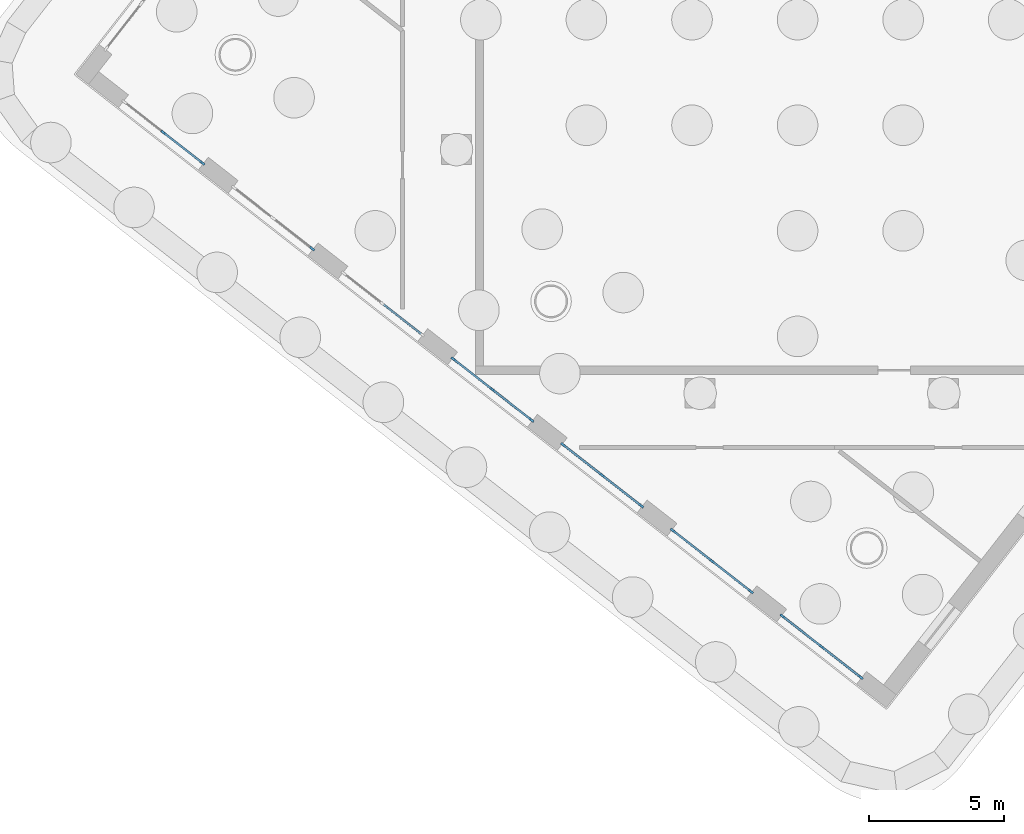
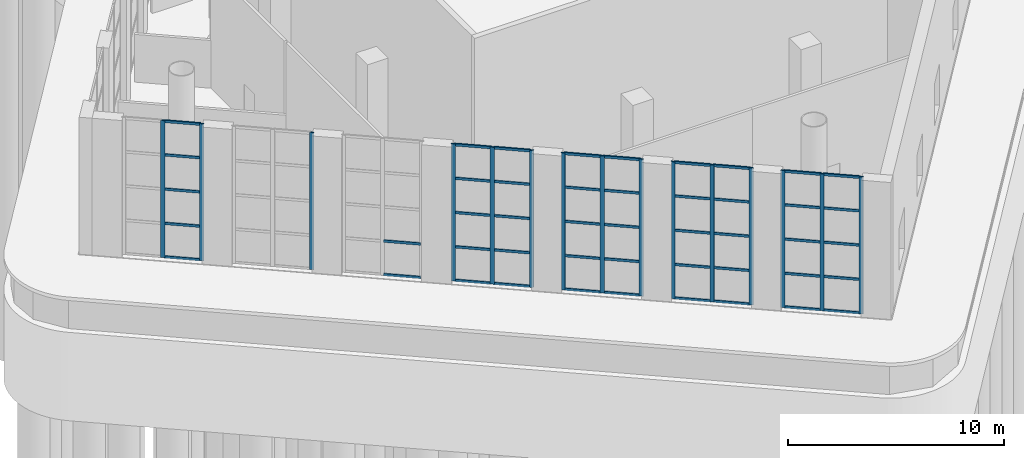
# One storey, part 4 of 34: 62 members, 7 elements without a shape of their own.
"""IFC4 building model written with IfcOpenShell, lengths in metres."""

from ifc_helpers import new_model, si_unit, direction, frame, origin, origin_2d, place, context, subcontext, project, spatial, rectangle, extrude, material, material_profile, profile_set, type_object, element, aggregate, save


model = new_model("IFC4")

# Units and contexts
model_context = context("Model", 3, precision=1e-05, world=origin(), true_north=direction((0.0, 1.0)))
body_context = subcontext(model_context, "Body", "Model", "MODEL_VIEW")
ifc_project = project(units=[si_unit("LENGTHUNIT", "METRE"), si_unit("AREAUNIT", "SQUARE_METRE"), si_unit("VOLUMEUNIT", "CUBIC_METRE"), si_unit("PLANEANGLEUNIT", "RADIAN"), si_unit("MASSUNIT", "GRAM", prefix="KILO")], contexts=[model_context])

# Site, building, storey
site_placement = place(None, origin())
site = spatial("IfcSite", under=ifc_project, at=site_placement, CompositionType="ELEMENT")
building_placement = place(site_placement, origin())
building = spatial("IfcBuilding", under=site, at=building_placement, Name="Tarsis Ring Headquarters", CompositionType="ELEMENT")
storey_placement = place(building_placement, origin())
storey = spatial("IfcBuildingStorey", under=building, at=storey_placement, Name="L00", CompositionType="ELEMENT", Elevation=0.0)

# Curtain wall, members
ifc_material_1 = material(Name="Aluminium and glass", Category="aluminium")
curtain_wall_type = type_object("IfcCurtainWallType", Name="PO-CW1", PredefinedType="NOTDEFINED", material=ifc_material_1)
curtain_wall_1_placement = place(storey_placement, origin())
curtain_wall_1 = element("IfcCurtainWall", 1, at=curtain_wall_1_placement, inside=storey, type_object=curtain_wall_type, Name="Shopfront curtain wall 7.1", PredefinedType="NOTDEFINED")
ifc_material_2 = material(Name="Aluminium", Category="aluminium")
ifc_material_profile_1 = material_profile(ifc_material_2, rectangle(XDim=0.080078125, YDim=0.199951171875, at=origin_2d()), Name="PO-CW1M")
ifc_profile_set_1 = profile_set([ifc_material_profile_1], Name="Aluminium")
member_type_1 = type_object("IfcMemberType", Name="PO-CW1M", PredefinedType="MULLION", material=ifc_profile_set_1)
member_1_placement = place(storey_placement, frame((-46.82958984375, -35.3662109375, 0.0), z_axis=(0.0, 0.0, 1.0), x_axis=(0.615661571393, 0.788010678551, 0.0)))
member_1 = element("IfcMember", 2, at=member_1_placement, type_object=member_type_1, Name="CW-P1 mullion 2", PredefinedType="MULLION", context=body_context, shape_type="SweptSolid", body=[
    extrude(rectangle(XDim=0.080078125, YDim=0.199951171875, at=origin_2d()), origin(), (0.0, 0.0, 1.0), 7.75),
])
member_2_placement = place(storey_placement, frame((-45.38623046875, -36.49365234375, 0.0), z_axis=(0.0, 0.0, 1.0), x_axis=(0.615661571393, 0.788010678551, 0.0)))
member_2 = element("IfcMember", 3, at=member_2_placement, type_object=member_type_1, Name="CW-P1 mullion 3", PredefinedType="MULLION", context=body_context, shape_type="SweptSolid", body=[
    extrude(rectangle(XDim=0.080078125, YDim=0.199951171875, at=origin_2d()), origin(), (0.0, 0.0, 1.0), 7.75),
])

# Curtain wall, member
curtain_wall_2_placement = place(storey_placement, origin())
curtain_wall_2 = element("IfcCurtainWall", 4, at=curtain_wall_2_placement, inside=storey, type_object=curtain_wall_type, Name="Shopfront curtain wall 7.2", PredefinedType="NOTDEFINED")
member_3_placement = place(storey_placement, frame((-41.333740234375, -39.659912109375, 0.0), z_axis=(0.0, 0.0, 1.0), x_axis=(0.615661441767, 0.788010779825, 0.0)))
member_3 = element("IfcMember", 5, at=member_3_placement, type_object=member_type_1, Name="CW-P1 mullion 3", PredefinedType="MULLION", context=body_context, shape_type="SweptSolid", body=[
    extrude(rectangle(XDim=0.080078125, YDim=0.199951171875, at=origin_2d()), origin(), (0.0, 0.0, 1.0), 7.75),
])
aggregate(curtain_wall_2, [member_3])

# Curtain wall, members
curtain_wall_3_placement = place(storey_placement, origin())
curtain_wall_3 = element("IfcCurtainWall", 6, at=curtain_wall_3_placement, inside=storey, type_object=curtain_wall_type, Name="Shopfront curtain wall 7.4", PredefinedType="NOTDEFINED")
member_4_placement = place(storey_placement, frame((-36.11474609375, -43.7373046875, 0.0), z_axis=(0.0, 0.0, 1.0), x_axis=(0.615661571393, 0.788010678551, 0.0)))
member_4 = element("IfcMember", 7, at=member_4_placement, type_object=member_type_1, Name="CW-P1 mullion 1", PredefinedType="MULLION", context=body_context, shape_type="SweptSolid", body=[
    extrude(rectangle(XDim=0.080078125, YDim=0.199951171875, at=origin_2d()), origin(), (0.0, 0.0, 1.0), 7.75),
])
member_5_placement = place(storey_placement, frame((-34.671630859375, -44.864990234375, 0.0), z_axis=(0.0, 0.0, 1.0), x_axis=(0.615661571393, 0.788010678551, 0.0)))
member_5 = element("IfcMember", 8, at=member_5_placement, type_object=member_type_1, Name="CW-P1 mullion 2", PredefinedType="MULLION", context=body_context, shape_type="SweptSolid", body=[
    extrude(rectangle(XDim=0.080078125, YDim=0.199951171875, at=origin_2d()), origin(), (0.0, 0.0, 1.0), 7.75),
])
member_6_placement = place(storey_placement, frame((-33.228515625, -45.992431640625, 0.0), z_axis=(0.0, 0.0, 1.0), x_axis=(0.615661571393, 0.788010678551, 0.0)))
member_6 = element("IfcMember", 9, at=member_6_placement, type_object=member_type_1, Name="CW-P1 mullion 3", PredefinedType="MULLION", context=body_context, shape_type="SweptSolid", body=[
    extrude(rectangle(XDim=0.080078125, YDim=0.199951171875, at=origin_2d()), origin(), (0.0, 0.0, 1.0), 7.75),
])

curtain_wall_4_placement = place(storey_placement, origin())
curtain_wall_4 = element("IfcCurtainWall", 10, at=curtain_wall_4_placement, inside=storey, type_object=curtain_wall_type, Name="Shopfront curtain wall 7.5", PredefinedType="NOTDEFINED")
member_7_placement = place(storey_placement, frame((-32.062255859375, -46.903564453125, 0.0), z_axis=(0.0, 0.0, 1.0), x_axis=(0.615661441767, 0.788010779825, 0.0)))
member_7 = element("IfcMember", 11, at=member_7_placement, type_object=member_type_1, Name="CW-P1 mullion 1", PredefinedType="MULLION", context=body_context, shape_type="SweptSolid", body=[
    extrude(rectangle(XDim=0.080078125, YDim=0.199951171875, at=origin_2d()), origin(), (0.0, 0.0, 1.0), 7.75),
])
member_8_placement = place(storey_placement, frame((-30.618896484375, -48.03125, 0.0), z_axis=(0.0, 0.0, 1.0), x_axis=(0.615661441767, 0.788010779825, 0.0)))
member_8 = element("IfcMember", 12, at=member_8_placement, type_object=member_type_1, Name="CW-P1 mullion 2", PredefinedType="MULLION", context=body_context, shape_type="SweptSolid", body=[
    extrude(rectangle(XDim=0.080078125, YDim=0.199951171875, at=origin_2d()), origin(), (0.0, 0.0, 1.0), 7.75),
])
member_9_placement = place(storey_placement, frame((-29.17578125, -49.15869140625, 0.0), z_axis=(0.0, 0.0, 1.0), x_axis=(0.615661441767, 0.788010779825, 0.0)))
member_9 = element("IfcMember", 13, at=member_9_placement, type_object=member_type_1, Name="CW-P1 mullion 3", PredefinedType="MULLION", context=body_context, shape_type="SweptSolid", body=[
    extrude(rectangle(XDim=0.080078125, YDim=0.199951171875, at=origin_2d()), origin(), (0.0, 0.0, 1.0), 7.75),
])

curtain_wall_5_placement = place(storey_placement, origin())
curtain_wall_5 = element("IfcCurtainWall", 14, at=curtain_wall_5_placement, inside=storey, type_object=curtain_wall_type, Name="Shopfront curtain wall 7.6", PredefinedType="NOTDEFINED")
member_10_placement = place(storey_placement, frame((-28.009521484375, -50.06982421875, 0.0), z_axis=(0.0, 0.0, 1.0), x_axis=(0.615661441767, 0.788010779825, 0.0)))
member_10 = element("IfcMember", 15, at=member_10_placement, type_object=member_type_1, Name="CW-P1 mullion 1", PredefinedType="MULLION", context=body_context, shape_type="SweptSolid", body=[
    extrude(rectangle(XDim=0.080078125, YDim=0.199951171875, at=origin_2d()), origin(), (0.0, 0.0, 1.0), 7.75),
])
member_11_placement = place(storey_placement, frame((-26.56640625, -51.197509765625, 0.0), z_axis=(0.0, 0.0, 1.0), x_axis=(0.615661441767, 0.788010779825, 0.0)))
member_11 = element("IfcMember", 16, at=member_11_placement, type_object=member_type_1, Name="CW-P1 mullion 2", PredefinedType="MULLION", context=body_context, shape_type="SweptSolid", body=[
    extrude(rectangle(XDim=0.080078125, YDim=0.199951171875, at=origin_2d()), origin(), (0.0, 0.0, 1.0), 7.75),
])
member_12_placement = place(storey_placement, frame((-25.123046875, -52.324951171875, 0.0), z_axis=(0.0, 0.0, 1.0), x_axis=(0.615661441767, 0.788010779825, 0.0)))
member_12 = element("IfcMember", 17, at=member_12_placement, type_object=member_type_1, Name="CW-P1 mullion 3", PredefinedType="MULLION", context=body_context, shape_type="SweptSolid", body=[
    extrude(rectangle(XDim=0.080078125, YDim=0.199951171875, at=origin_2d()), origin(), (0.0, 0.0, 1.0), 7.75),
])

curtain_wall_6_placement = place(storey_placement, origin())
curtain_wall_6 = element("IfcCurtainWall", 18, at=curtain_wall_6_placement, inside=storey, type_object=curtain_wall_type, Name="Shopfront curtain wall 7.7", PredefinedType="NOTDEFINED")
member_13_placement = place(storey_placement, frame((-23.956787109375, -53.236083984375, 0.0), z_axis=(0.0, 0.0, 1.0), x_axis=(0.615661441767, 0.788010779825, 0.0)))
member_13 = element("IfcMember", 19, at=member_13_placement, type_object=member_type_1, Name="CW-P1 mullion 1", PredefinedType="MULLION", context=body_context, shape_type="SweptSolid", body=[
    extrude(rectangle(XDim=0.080078125, YDim=0.199951171875, at=origin_2d()), origin(), (0.0, 0.0, 1.0), 7.75),
])
member_14_placement = place(storey_placement, frame((-22.513671875, -54.36376953125, 0.0), z_axis=(0.0, 0.0, 1.0), x_axis=(0.615661441767, 0.788010779825, 0.0)))
member_14 = element("IfcMember", 20, at=member_14_placement, type_object=member_type_1, Name="CW-P1 mullion 2", PredefinedType="MULLION", context=body_context, shape_type="SweptSolid", body=[
    extrude(rectangle(XDim=0.080078125, YDim=0.199951171875, at=origin_2d()), origin(), (0.0, 0.0, 1.0), 7.75),
])
member_15_placement = place(storey_placement, frame((-21.070556640625, -55.4912109375, 0.0), z_axis=(0.0, 0.0, 1.0), x_axis=(0.615661441767, 0.788010779825, 0.0)))
member_15 = element("IfcMember", 21, at=member_15_placement, type_object=member_type_1, Name="CW-P1 mullion 3", PredefinedType="MULLION", context=body_context, shape_type="SweptSolid", body=[
    extrude(rectangle(XDim=0.080078125, YDim=0.199951171875, at=origin_2d()), origin(), (0.0, 0.0, 1.0), 7.75),
])

# Member
ifc_material_profile_2 = material_profile(ifc_material_2, rectangle(XDim=0.080078125, YDim=0.139892578125, at=origin_2d()), Name="PO-CW1T")
ifc_profile_set_2 = profile_set([ifc_material_profile_2], Name="Aluminium")
member_type_2 = type_object("IfcMemberType", Name="PO-CW1T", PredefinedType="USERDEFINED", material=ifc_profile_set_2)
member_16_placement = place(storey_placement, frame((-46.7978515625, -35.390869140625, 0.0400390625), z_axis=(0.788051847991, -0.615608873294, 0.0), x_axis=(0.615608873294, 0.788051847991, 0.0)))
member_16 = element("IfcMember", 22, at=member_16_placement, type_object=member_type_2, Name="CW-P1 transom 2.1", ObjectType="TRANSOM", PredefinedType="USERDEFINED", context=body_context, shape_type="SweptSolid", body=[
    extrude(rectangle(XDim=0.080078125, YDim=0.139892578125, at=origin_2d()), origin(), (0.0, 0.0, 1.0), 1.751220703125),
])

member_17_placement = place(storey_placement, frame((-46.7978515625, -35.390869140625, 1.9375), z_axis=(0.788051847991, -0.615608873294, 0.0), x_axis=(0.615608873294, 0.788051847991, 0.0)))
member_17 = element("IfcMember", 23, at=member_17_placement, type_object=member_type_2, Name="CW-P1 transom 2.2", ObjectType="TRANSOM", PredefinedType="USERDEFINED", context=body_context, shape_type="SweptSolid", body=[
    extrude(rectangle(XDim=0.080078125, YDim=0.139892578125, at=origin_2d()), origin(), (0.0, 0.0, 1.0), 1.751220703125),
])

member_18_placement = place(storey_placement, frame((-46.7978515625, -35.390869140625, 3.875), z_axis=(0.788051847991, -0.615608873294, 0.0), x_axis=(0.615608873294, 0.788051847991, 0.0)))
member_18 = element("IfcMember", 24, at=member_18_placement, type_object=member_type_2, Name="CW-P1 transom 2.3", ObjectType="TRANSOM", PredefinedType="USERDEFINED", context=body_context, shape_type="SweptSolid", body=[
    extrude(rectangle(XDim=0.080078125, YDim=0.139892578125, at=origin_2d()), origin(), (0.0, 0.0, 1.0), 1.751220703125),
])

member_19_placement = place(storey_placement, frame((-46.7978515625, -35.390869140625, 5.8125), z_axis=(0.788051847991, -0.615608873294, 0.0), x_axis=(0.615608873294, 0.788051847991, 0.0)))
member_19 = element("IfcMember", 25, at=member_19_placement, type_object=member_type_2, Name="CW-P1 transom 2.4", ObjectType="TRANSOM", PredefinedType="USERDEFINED", context=body_context, shape_type="SweptSolid", body=[
    extrude(rectangle(XDim=0.080078125, YDim=0.139892578125, at=origin_2d()), origin(), (0.0, 0.0, 1.0), 1.751220703125),
])

member_20_placement = place(storey_placement, frame((-46.7978515625, -35.390869140625, 7.7099609375), z_axis=(0.788051847991, -0.615608873294, 0.0), x_axis=(0.615608873294, 0.788051847991, 0.0)))
member_20 = element("IfcMember", 26, at=member_20_placement, type_object=member_type_2, Name="CW-P1 transom 2.5", ObjectType="TRANSOM", PredefinedType="USERDEFINED", context=body_context, shape_type="SweptSolid", body=[
    extrude(rectangle(XDim=0.080078125, YDim=0.139892578125, at=origin_2d()), origin(), (0.0, 0.0, 1.0), 1.751220703125),
])

aggregate(curtain_wall_1, [member_1, member_2, member_16, member_17, member_18, member_19, member_20])

# Curtain wall, members
curtain_wall_7_placement = place(storey_placement, origin())
curtain_wall_7 = element("IfcCurtainWall", 27, at=curtain_wall_7_placement, inside=storey, type_object=curtain_wall_type, Name="Shopfront curtain wall 7.3", PredefinedType="NOTDEFINED")
member_21_placement = place(storey_placement, frame((-38.692626953125, -41.723388671875, 0.0400390625), z_axis=(0.788051847991, -0.615608873294, 0.0), x_axis=(0.615608873294, 0.788051847991, 0.0)))
member_21 = element("IfcMember", 28, at=member_21_placement, type_object=member_type_2, Name="CW-P1 transom 2.1", ObjectType="TRANSOM", PredefinedType="USERDEFINED", context=body_context, shape_type="SweptSolid", body=[
    extrude(rectangle(XDim=0.080078125, YDim=0.139892578125, at=origin_2d()), origin(), (0.0, 0.0, 1.0), 1.751220703125),
])
member_22_placement = place(storey_placement, frame((-38.692626953125, -41.723388671875, 1.9375), z_axis=(0.788051847991, -0.615608873294, 0.0), x_axis=(0.615608873294, 0.788051847991, 0.0)))
member_22 = element("IfcMember", 29, at=member_22_placement, type_object=member_type_2, Name="CW-P1 transom 2.2", ObjectType="TRANSOM", PredefinedType="USERDEFINED", context=body_context, shape_type="SweptSolid", body=[
    extrude(rectangle(XDim=0.080078125, YDim=0.139892578125, at=origin_2d()), origin(), (0.0, 0.0, 1.0), 1.751220703125),
])
aggregate(curtain_wall_7, [member_21, member_22])

# Member
member_23_placement = place(storey_placement, frame((-36.083251953125, -43.761962890625, 0.0400390625), z_axis=(0.78798421965, -0.615695435733, 0.0), x_axis=(0.615695435733, 0.78798421965, 0.0)))
member_23 = element("IfcMember", 30, at=member_23_placement, type_object=member_type_2, Name="CW-P1 transom 1.1", ObjectType="TRANSOM", PredefinedType="USERDEFINED", context=body_context, shape_type="SweptSolid", body=[
    extrude(rectangle(XDim=0.080078125, YDim=0.139892578125, at=origin_2d()), origin(), (0.0, 0.0, 1.0), 1.75146484375),
])

member_24_placement = place(storey_placement, frame((-36.083251953125, -43.761962890625, 1.9375), z_axis=(0.78798421965, -0.615695435733, 0.0), x_axis=(0.615695435733, 0.78798421965, 0.0)))
member_24 = element("IfcMember", 31, at=member_24_placement, type_object=member_type_2, Name="CW-P1 transom 1.2", ObjectType="TRANSOM", PredefinedType="USERDEFINED", context=body_context, shape_type="SweptSolid", body=[
    extrude(rectangle(XDim=0.080078125, YDim=0.139892578125, at=origin_2d()), origin(), (0.0, 0.0, 1.0), 1.75146484375),
])

member_25_placement = place(storey_placement, frame((-36.083251953125, -43.761962890625, 3.875), z_axis=(0.78798421965, -0.615695435733, 0.0), x_axis=(0.615695435733, 0.78798421965, 0.0)))
member_25 = element("IfcMember", 32, at=member_25_placement, type_object=member_type_2, Name="CW-P1 transom 1.3", ObjectType="TRANSOM", PredefinedType="USERDEFINED", context=body_context, shape_type="SweptSolid", body=[
    extrude(rectangle(XDim=0.080078125, YDim=0.139892578125, at=origin_2d()), origin(), (0.0, 0.0, 1.0), 1.75146484375),
])

member_26_placement = place(storey_placement, frame((-36.083251953125, -43.761962890625, 5.8125), z_axis=(0.78798421965, -0.615695435733, 0.0), x_axis=(0.615695435733, 0.78798421965, 0.0)))
member_26 = element("IfcMember", 33, at=member_26_placement, type_object=member_type_2, Name="CW-P1 transom 1.4", ObjectType="TRANSOM", PredefinedType="USERDEFINED", context=body_context, shape_type="SweptSolid", body=[
    extrude(rectangle(XDim=0.080078125, YDim=0.139892578125, at=origin_2d()), origin(), (0.0, 0.0, 1.0), 1.75146484375),
])

member_27_placement = place(storey_placement, frame((-36.083251953125, -43.761962890625, 7.7099609375), z_axis=(0.78798421965, -0.615695435733, 0.0), x_axis=(0.615695435733, 0.78798421965, 0.0)))
member_27 = element("IfcMember", 34, at=member_27_placement, type_object=member_type_2, Name="CW-P1 transom 1.5", ObjectType="TRANSOM", PredefinedType="USERDEFINED", context=body_context, shape_type="SweptSolid", body=[
    extrude(rectangle(XDim=0.080078125, YDim=0.139892578125, at=origin_2d()), origin(), (0.0, 0.0, 1.0), 1.75146484375),
])

member_28_placement = place(storey_placement, frame((-34.64013671875, -44.8896484375, 0.0400390625), z_axis=(0.788051847991, -0.615608873294, 0.0), x_axis=(0.615608873294, 0.788051847991, 0.0)))
member_28 = element("IfcMember", 35, at=member_28_placement, type_object=member_type_2, Name="CW-P1 transom 2.1", ObjectType="TRANSOM", PredefinedType="USERDEFINED", context=body_context, shape_type="SweptSolid", body=[
    extrude(rectangle(XDim=0.080078125, YDim=0.139892578125, at=origin_2d()), origin(), (0.0, 0.0, 1.0), 1.751220703125),
])

member_29_placement = place(storey_placement, frame((-34.64013671875, -44.8896484375, 1.9375), z_axis=(0.788051847991, -0.615608873294, 0.0), x_axis=(0.615608873294, 0.788051847991, 0.0)))
member_29 = element("IfcMember", 36, at=member_29_placement, type_object=member_type_2, Name="CW-P1 transom 2.2", ObjectType="TRANSOM", PredefinedType="USERDEFINED", context=body_context, shape_type="SweptSolid", body=[
    extrude(rectangle(XDim=0.080078125, YDim=0.139892578125, at=origin_2d()), origin(), (0.0, 0.0, 1.0), 1.751220703125),
])

member_30_placement = place(storey_placement, frame((-34.64013671875, -44.8896484375, 3.875), z_axis=(0.788051847991, -0.615608873294, 0.0), x_axis=(0.615608873294, 0.788051847991, 0.0)))
member_30 = element("IfcMember", 37, at=member_30_placement, type_object=member_type_2, Name="CW-P1 transom 2.3", ObjectType="TRANSOM", PredefinedType="USERDEFINED", context=body_context, shape_type="SweptSolid", body=[
    extrude(rectangle(XDim=0.080078125, YDim=0.139892578125, at=origin_2d()), origin(), (0.0, 0.0, 1.0), 1.751220703125),
])

member_31_placement = place(storey_placement, frame((-34.64013671875, -44.8896484375, 5.8125), z_axis=(0.788051847991, -0.615608873294, 0.0), x_axis=(0.615608873294, 0.788051847991, 0.0)))
member_31 = element("IfcMember", 38, at=member_31_placement, type_object=member_type_2, Name="CW-P1 transom 2.4", ObjectType="TRANSOM", PredefinedType="USERDEFINED", context=body_context, shape_type="SweptSolid", body=[
    extrude(rectangle(XDim=0.080078125, YDim=0.139892578125, at=origin_2d()), origin(), (0.0, 0.0, 1.0), 1.751220703125),
])

member_32_placement = place(storey_placement, frame((-34.64013671875, -44.8896484375, 7.7099609375), z_axis=(0.788051847991, -0.615608873294, 0.0), x_axis=(0.615608873294, 0.788051847991, 0.0)))
member_32 = element("IfcMember", 39, at=member_32_placement, type_object=member_type_2, Name="CW-P1 transom 2.5", ObjectType="TRANSOM", PredefinedType="USERDEFINED", context=body_context, shape_type="SweptSolid", body=[
    extrude(rectangle(XDim=0.080078125, YDim=0.139892578125, at=origin_2d()), origin(), (0.0, 0.0, 1.0), 1.751220703125),
])

aggregate(curtain_wall_3, [member_4, member_5, member_6, member_23, member_24, member_25, member_26, member_27, member_28, member_29, member_30, member_31, member_32])

member_33_placement = place(storey_placement, frame((-32.03076171875, -46.92822265625, 0.0400390625), z_axis=(0.78803705187, -0.615627813602, 0.0), x_axis=(0.615627813602, 0.78803705187, 0.0)))
member_33 = element("IfcMember", 40, at=member_33_placement, type_object=member_type_2, Name="CW-P1 transom 1.1", ObjectType="TRANSOM", PredefinedType="USERDEFINED", context=body_context, shape_type="SweptSolid", body=[
    extrude(rectangle(XDim=0.080078125, YDim=0.139892578125, at=origin_2d()), origin(), (0.0, 0.0, 1.0), 1.751708984375),
])

member_34_placement = place(storey_placement, frame((-32.03076171875, -46.92822265625, 1.9375), z_axis=(0.78803705187, -0.615627813602, 0.0), x_axis=(0.615627813602, 0.78803705187, 0.0)))
member_34 = element("IfcMember", 41, at=member_34_placement, type_object=member_type_2, Name="CW-P1 transom 1.2", ObjectType="TRANSOM", PredefinedType="USERDEFINED", context=body_context, shape_type="SweptSolid", body=[
    extrude(rectangle(XDim=0.080078125, YDim=0.139892578125, at=origin_2d()), origin(), (0.0, 0.0, 1.0), 1.751708984375),
])

member_35_placement = place(storey_placement, frame((-32.03076171875, -46.92822265625, 3.875), z_axis=(0.78803705187, -0.615627813602, 0.0), x_axis=(0.615627813602, 0.78803705187, 0.0)))
member_35 = element("IfcMember", 42, at=member_35_placement, type_object=member_type_2, Name="CW-P1 transom 1.3", ObjectType="TRANSOM", PredefinedType="USERDEFINED", context=body_context, shape_type="SweptSolid", body=[
    extrude(rectangle(XDim=0.080078125, YDim=0.139892578125, at=origin_2d()), origin(), (0.0, 0.0, 1.0), 1.751708984375),
])

member_36_placement = place(storey_placement, frame((-32.03076171875, -46.92822265625, 5.8125), z_axis=(0.78803705187, -0.615627813602, 0.0), x_axis=(0.615627813602, 0.78803705187, 0.0)))
member_36 = element("IfcMember", 43, at=member_36_placement, type_object=member_type_2, Name="CW-P1 transom 1.4", ObjectType="TRANSOM", PredefinedType="USERDEFINED", context=body_context, shape_type="SweptSolid", body=[
    extrude(rectangle(XDim=0.080078125, YDim=0.139892578125, at=origin_2d()), origin(), (0.0, 0.0, 1.0), 1.751708984375),
])

member_37_placement = place(storey_placement, frame((-32.03076171875, -46.92822265625, 7.7099609375), z_axis=(0.78803705187, -0.615627813602, 0.0), x_axis=(0.615627813602, 0.78803705187, 0.0)))
member_37 = element("IfcMember", 44, at=member_37_placement, type_object=member_type_2, Name="CW-P1 transom 1.5", ObjectType="TRANSOM", PredefinedType="USERDEFINED", context=body_context, shape_type="SweptSolid", body=[
    extrude(rectangle(XDim=0.080078125, YDim=0.139892578125, at=origin_2d()), origin(), (0.0, 0.0, 1.0), 1.751708984375),
])

member_38_placement = place(storey_placement, frame((-30.58740234375, -48.055908203125, 0.0400390625), z_axis=(0.788051847991, -0.615608873294, 0.0), x_axis=(0.615608873294, 0.788051847991, 0.0)))
member_38 = element("IfcMember", 45, at=member_38_placement, type_object=member_type_2, Name="CW-P1 transom 2.1", ObjectType="TRANSOM", PredefinedType="USERDEFINED", context=body_context, shape_type="SweptSolid", body=[
    extrude(rectangle(XDim=0.080078125, YDim=0.139892578125, at=origin_2d()), origin(), (0.0, 0.0, 1.0), 1.751220703125),
])

member_39_placement = place(storey_placement, frame((-30.58740234375, -48.055908203125, 1.9375), z_axis=(0.788051847991, -0.615608873294, 0.0), x_axis=(0.615608873294, 0.788051847991, 0.0)))
member_39 = element("IfcMember", 46, at=member_39_placement, type_object=member_type_2, Name="CW-P1 transom 2.2", ObjectType="TRANSOM", PredefinedType="USERDEFINED", context=body_context, shape_type="SweptSolid", body=[
    extrude(rectangle(XDim=0.080078125, YDim=0.139892578125, at=origin_2d()), origin(), (0.0, 0.0, 1.0), 1.751220703125),
])

member_40_placement = place(storey_placement, frame((-30.58740234375, -48.055908203125, 3.875), z_axis=(0.788051847991, -0.615608873294, 0.0), x_axis=(0.615608873294, 0.788051847991, 0.0)))
member_40 = element("IfcMember", 47, at=member_40_placement, type_object=member_type_2, Name="CW-P1 transom 2.3", ObjectType="TRANSOM", PredefinedType="USERDEFINED", context=body_context, shape_type="SweptSolid", body=[
    extrude(rectangle(XDim=0.080078125, YDim=0.139892578125, at=origin_2d()), origin(), (0.0, 0.0, 1.0), 1.751220703125),
])

member_41_placement = place(storey_placement, frame((-30.58740234375, -48.055908203125, 5.8125), z_axis=(0.788051847991, -0.615608873294, 0.0), x_axis=(0.615608873294, 0.788051847991, 0.0)))
member_41 = element("IfcMember", 48, at=member_41_placement, type_object=member_type_2, Name="CW-P1 transom 2.4", ObjectType="TRANSOM", PredefinedType="USERDEFINED", context=body_context, shape_type="SweptSolid", body=[
    extrude(rectangle(XDim=0.080078125, YDim=0.139892578125, at=origin_2d()), origin(), (0.0, 0.0, 1.0), 1.751220703125),
])

member_42_placement = place(storey_placement, frame((-30.58740234375, -48.055908203125, 7.7099609375), z_axis=(0.788051847991, -0.615608873294, 0.0), x_axis=(0.615608873294, 0.788051847991, 0.0)))
member_42 = element("IfcMember", 49, at=member_42_placement, type_object=member_type_2, Name="CW-P1 transom 2.5", ObjectType="TRANSOM", PredefinedType="USERDEFINED", context=body_context, shape_type="SweptSolid", body=[
    extrude(rectangle(XDim=0.080078125, YDim=0.139892578125, at=origin_2d()), origin(), (0.0, 0.0, 1.0), 1.751220703125),
])

aggregate(curtain_wall_4, [member_7, member_8, member_9, member_33, member_34, member_35, member_36, member_37, member_38, member_39, member_40, member_41, member_42])

member_43_placement = place(storey_placement, frame((-27.97802734375, -50.094482421875, 0.0400390625), z_axis=(0.78798421965, -0.615695435733, 0.0), x_axis=(0.615695435733, 0.78798421965, 0.0)))
member_43 = element("IfcMember", 50, at=member_43_placement, type_object=member_type_2, Name="CW-P1 transom 1.1", ObjectType="TRANSOM", PredefinedType="USERDEFINED", context=body_context, shape_type="SweptSolid", body=[
    extrude(rectangle(XDim=0.080078125, YDim=0.139892578125, at=origin_2d()), origin(), (0.0, 0.0, 1.0), 1.75146484375),
])

member_44_placement = place(storey_placement, frame((-27.97802734375, -50.094482421875, 1.9375), z_axis=(0.78798421965, -0.615695435733, 0.0), x_axis=(0.615695435733, 0.78798421965, 0.0)))
member_44 = element("IfcMember", 51, at=member_44_placement, type_object=member_type_2, Name="CW-P1 transom 1.2", ObjectType="TRANSOM", PredefinedType="USERDEFINED", context=body_context, shape_type="SweptSolid", body=[
    extrude(rectangle(XDim=0.080078125, YDim=0.139892578125, at=origin_2d()), origin(), (0.0, 0.0, 1.0), 1.75146484375),
])

member_45_placement = place(storey_placement, frame((-27.97802734375, -50.094482421875, 3.875), z_axis=(0.78798421965, -0.615695435733, 0.0), x_axis=(0.615695435733, 0.78798421965, 0.0)))
member_45 = element("IfcMember", 52, at=member_45_placement, type_object=member_type_2, Name="CW-P1 transom 1.3", ObjectType="TRANSOM", PredefinedType="USERDEFINED", context=body_context, shape_type="SweptSolid", body=[
    extrude(rectangle(XDim=0.080078125, YDim=0.139892578125, at=origin_2d()), origin(), (0.0, 0.0, 1.0), 1.75146484375),
])

member_46_placement = place(storey_placement, frame((-27.97802734375, -50.094482421875, 5.8125), z_axis=(0.78798421965, -0.615695435733, 0.0), x_axis=(0.615695435733, 0.78798421965, 0.0)))
member_46 = element("IfcMember", 53, at=member_46_placement, type_object=member_type_2, Name="CW-P1 transom 1.4", ObjectType="TRANSOM", PredefinedType="USERDEFINED", context=body_context, shape_type="SweptSolid", body=[
    extrude(rectangle(XDim=0.080078125, YDim=0.139892578125, at=origin_2d()), origin(), (0.0, 0.0, 1.0), 1.75146484375),
])

member_47_placement = place(storey_placement, frame((-27.97802734375, -50.094482421875, 7.7099609375), z_axis=(0.78798421965, -0.615695435733, 0.0), x_axis=(0.615695435733, 0.78798421965, 0.0)))
member_47 = element("IfcMember", 54, at=member_47_placement, type_object=member_type_2, Name="CW-P1 transom 1.5", ObjectType="TRANSOM", PredefinedType="USERDEFINED", context=body_context, shape_type="SweptSolid", body=[
    extrude(rectangle(XDim=0.080078125, YDim=0.139892578125, at=origin_2d()), origin(), (0.0, 0.0, 1.0), 1.75146484375),
])

member_48_placement = place(storey_placement, frame((-26.534912109375, -51.22216796875, 0.0400390625), z_axis=(0.788051847991, -0.615608873294, 0.0), x_axis=(0.615608873294, 0.788051847991, 0.0)))
member_48 = element("IfcMember", 55, at=member_48_placement, type_object=member_type_2, Name="CW-P1 transom 2.1", ObjectType="TRANSOM", PredefinedType="USERDEFINED", context=body_context, shape_type="SweptSolid", body=[
    extrude(rectangle(XDim=0.080078125, YDim=0.139892578125, at=origin_2d()), origin(), (0.0, 0.0, 1.0), 1.751220703125),
])

member_49_placement = place(storey_placement, frame((-26.534912109375, -51.22216796875, 1.9375), z_axis=(0.788051847991, -0.615608873294, 0.0), x_axis=(0.615608873294, 0.788051847991, 0.0)))
member_49 = element("IfcMember", 56, at=member_49_placement, type_object=member_type_2, Name="CW-P1 transom 2.2", ObjectType="TRANSOM", PredefinedType="USERDEFINED", context=body_context, shape_type="SweptSolid", body=[
    extrude(rectangle(XDim=0.080078125, YDim=0.139892578125, at=origin_2d()), origin(), (0.0, 0.0, 1.0), 1.751220703125),
])

member_50_placement = place(storey_placement, frame((-26.534912109375, -51.22216796875, 3.875), z_axis=(0.788051847991, -0.615608873294, 0.0), x_axis=(0.615608873294, 0.788051847991, 0.0)))
member_50 = element("IfcMember", 57, at=member_50_placement, type_object=member_type_2, Name="CW-P1 transom 2.3", ObjectType="TRANSOM", PredefinedType="USERDEFINED", context=body_context, shape_type="SweptSolid", body=[
    extrude(rectangle(XDim=0.080078125, YDim=0.139892578125, at=origin_2d()), origin(), (0.0, 0.0, 1.0), 1.751220703125),
])

member_51_placement = place(storey_placement, frame((-26.534912109375, -51.22216796875, 5.8125), z_axis=(0.788051847991, -0.615608873294, 0.0), x_axis=(0.615608873294, 0.788051847991, 0.0)))
member_51 = element("IfcMember", 58, at=member_51_placement, type_object=member_type_2, Name="CW-P1 transom 2.4", ObjectType="TRANSOM", PredefinedType="USERDEFINED", context=body_context, shape_type="SweptSolid", body=[
    extrude(rectangle(XDim=0.080078125, YDim=0.139892578125, at=origin_2d()), origin(), (0.0, 0.0, 1.0), 1.751220703125),
])

member_52_placement = place(storey_placement, frame((-26.534912109375, -51.22216796875, 7.7099609375), z_axis=(0.788051847991, -0.615608873294, 0.0), x_axis=(0.615608873294, 0.788051847991, 0.0)))
member_52 = element("IfcMember", 59, at=member_52_placement, type_object=member_type_2, Name="CW-P1 transom 2.5", ObjectType="TRANSOM", PredefinedType="USERDEFINED", context=body_context, shape_type="SweptSolid", body=[
    extrude(rectangle(XDim=0.080078125, YDim=0.139892578125, at=origin_2d()), origin(), (0.0, 0.0, 1.0), 1.751220703125),
])

aggregate(curtain_wall_5, [member_10, member_11, member_12, member_43, member_44, member_45, member_46, member_47, member_48, member_49, member_50, member_51, member_52])

member_53_placement = place(storey_placement, frame((-23.92529296875, -53.2607421875, 0.0400390625), z_axis=(0.78798421965, -0.615695435733, 0.0), x_axis=(0.615695435733, 0.78798421965, 0.0)))
member_53 = element("IfcMember", 60, at=member_53_placement, type_object=member_type_2, Name="CW-P1 transom 1.1", ObjectType="TRANSOM", PredefinedType="USERDEFINED", context=body_context, shape_type="SweptSolid", body=[
    extrude(rectangle(XDim=0.080078125, YDim=0.139892578125, at=origin_2d()), origin(), (0.0, 0.0, 1.0), 1.75146484375),
])

member_54_placement = place(storey_placement, frame((-23.92529296875, -53.2607421875, 1.9375), z_axis=(0.78798421965, -0.615695435733, 0.0), x_axis=(0.615695435733, 0.78798421965, 0.0)))
member_54 = element("IfcMember", 61, at=member_54_placement, type_object=member_type_2, Name="CW-P1 transom 1.2", ObjectType="TRANSOM", PredefinedType="USERDEFINED", context=body_context, shape_type="SweptSolid", body=[
    extrude(rectangle(XDim=0.080078125, YDim=0.139892578125, at=origin_2d()), origin(), (0.0, 0.0, 1.0), 1.75146484375),
])

member_55_placement = place(storey_placement, frame((-23.92529296875, -53.2607421875, 3.875), z_axis=(0.78798421965, -0.615695435733, 0.0), x_axis=(0.615695435733, 0.78798421965, 0.0)))
member_55 = element("IfcMember", 62, at=member_55_placement, type_object=member_type_2, Name="CW-P1 transom 1.3", ObjectType="TRANSOM", PredefinedType="USERDEFINED", context=body_context, shape_type="SweptSolid", body=[
    extrude(rectangle(XDim=0.080078125, YDim=0.139892578125, at=origin_2d()), origin(), (0.0, 0.0, 1.0), 1.75146484375),
])

member_56_placement = place(storey_placement, frame((-23.92529296875, -53.2607421875, 5.8125), z_axis=(0.78798421965, -0.615695435733, 0.0), x_axis=(0.615695435733, 0.78798421965, 0.0)))
member_56 = element("IfcMember", 63, at=member_56_placement, type_object=member_type_2, Name="CW-P1 transom 1.4", ObjectType="TRANSOM", PredefinedType="USERDEFINED", context=body_context, shape_type="SweptSolid", body=[
    extrude(rectangle(XDim=0.080078125, YDim=0.139892578125, at=origin_2d()), origin(), (0.0, 0.0, 1.0), 1.75146484375),
])

member_57_placement = place(storey_placement, frame((-23.92529296875, -53.2607421875, 7.7099609375), z_axis=(0.78798421965, -0.615695435733, 0.0), x_axis=(0.615695435733, 0.78798421965, 0.0)))
member_57 = element("IfcMember", 64, at=member_57_placement, type_object=member_type_2, Name="CW-P1 transom 1.5", ObjectType="TRANSOM", PredefinedType="USERDEFINED", context=body_context, shape_type="SweptSolid", body=[
    extrude(rectangle(XDim=0.080078125, YDim=0.139892578125, at=origin_2d()), origin(), (0.0, 0.0, 1.0), 1.75146484375),
])

member_58_placement = place(storey_placement, frame((-22.482177734375, -54.388427734375, 0.0400390625), z_axis=(0.788051847991, -0.615608873294, 0.0), x_axis=(0.615608873294, 0.788051847991, 0.0)))
member_58 = element("IfcMember", 65, at=member_58_placement, type_object=member_type_2, Name="CW-P1 transom 2.1", ObjectType="TRANSOM", PredefinedType="USERDEFINED", context=body_context, shape_type="SweptSolid", body=[
    extrude(rectangle(XDim=0.080078125, YDim=0.139892578125, at=origin_2d()), origin(), (0.0, 0.0, 1.0), 1.751220703125),
])

member_59_placement = place(storey_placement, frame((-22.482177734375, -54.388427734375, 1.9375), z_axis=(0.788051847991, -0.615608873294, 0.0), x_axis=(0.615608873294, 0.788051847991, 0.0)))
member_59 = element("IfcMember", 66, at=member_59_placement, type_object=member_type_2, Name="CW-P1 transom 2.2", ObjectType="TRANSOM", PredefinedType="USERDEFINED", context=body_context, shape_type="SweptSolid", body=[
    extrude(rectangle(XDim=0.080078125, YDim=0.139892578125, at=origin_2d()), origin(), (0.0, 0.0, 1.0), 1.751220703125),
])

member_60_placement = place(storey_placement, frame((-22.482177734375, -54.388427734375, 3.875), z_axis=(0.788051847991, -0.615608873294, 0.0), x_axis=(0.615608873294, 0.788051847991, 0.0)))
member_60 = element("IfcMember", 67, at=member_60_placement, type_object=member_type_2, Name="CW-P1 transom 2.3", ObjectType="TRANSOM", PredefinedType="USERDEFINED", context=body_context, shape_type="SweptSolid", body=[
    extrude(rectangle(XDim=0.080078125, YDim=0.139892578125, at=origin_2d()), origin(), (0.0, 0.0, 1.0), 1.751220703125),
])

member_61_placement = place(storey_placement, frame((-22.482177734375, -54.388427734375, 5.8125), z_axis=(0.788051847991, -0.615608873294, 0.0), x_axis=(0.615608873294, 0.788051847991, 0.0)))
member_61 = element("IfcMember", 68, at=member_61_placement, type_object=member_type_2, Name="CW-P1 transom 2.4", ObjectType="TRANSOM", PredefinedType="USERDEFINED", context=body_context, shape_type="SweptSolid", body=[
    extrude(rectangle(XDim=0.080078125, YDim=0.139892578125, at=origin_2d()), origin(), (0.0, 0.0, 1.0), 1.751220703125),
])

member_62_placement = place(storey_placement, frame((-22.482177734375, -54.388427734375, 7.7099609375), z_axis=(0.788051847991, -0.615608873294, 0.0), x_axis=(0.615608873294, 0.788051847991, 0.0)))
member_62 = element("IfcMember", 69, at=member_62_placement, type_object=member_type_2, Name="CW-P1 transom 2.5", ObjectType="TRANSOM", PredefinedType="USERDEFINED", context=body_context, shape_type="SweptSolid", body=[
    extrude(rectangle(XDim=0.080078125, YDim=0.139892578125, at=origin_2d()), origin(), (0.0, 0.0, 1.0), 1.751220703125),
])

aggregate(curtain_wall_6, [member_13, member_14, member_15, member_53, member_54, member_55, member_56, member_57, member_58, member_59, member_60, member_61, member_62])

save(model, "model.ifc")
